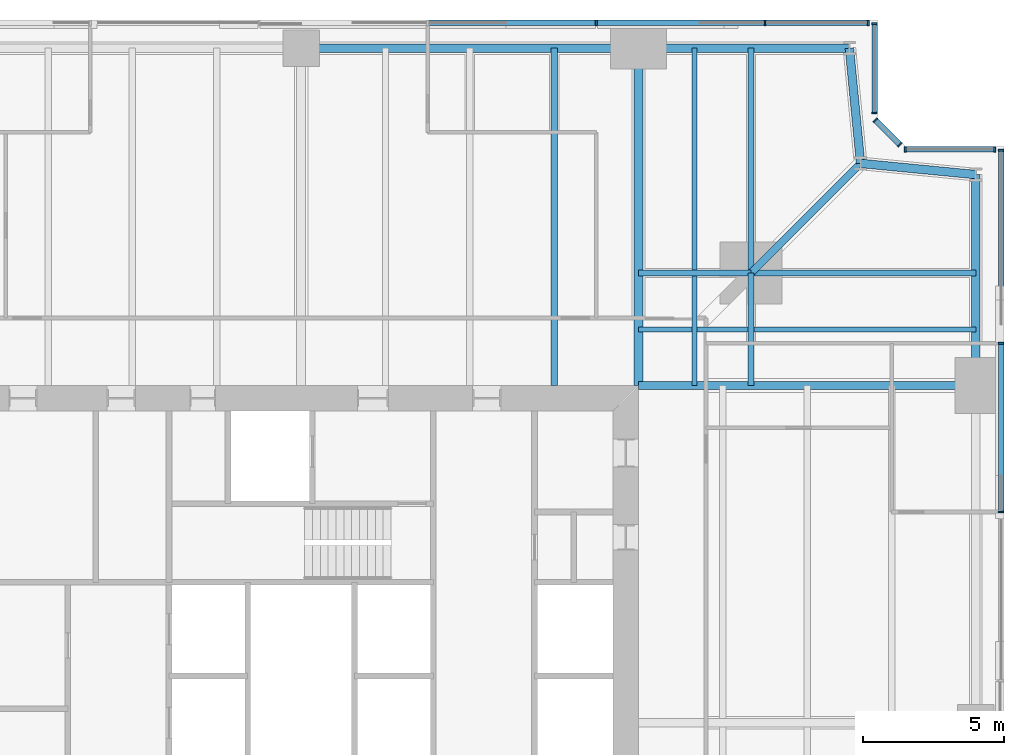
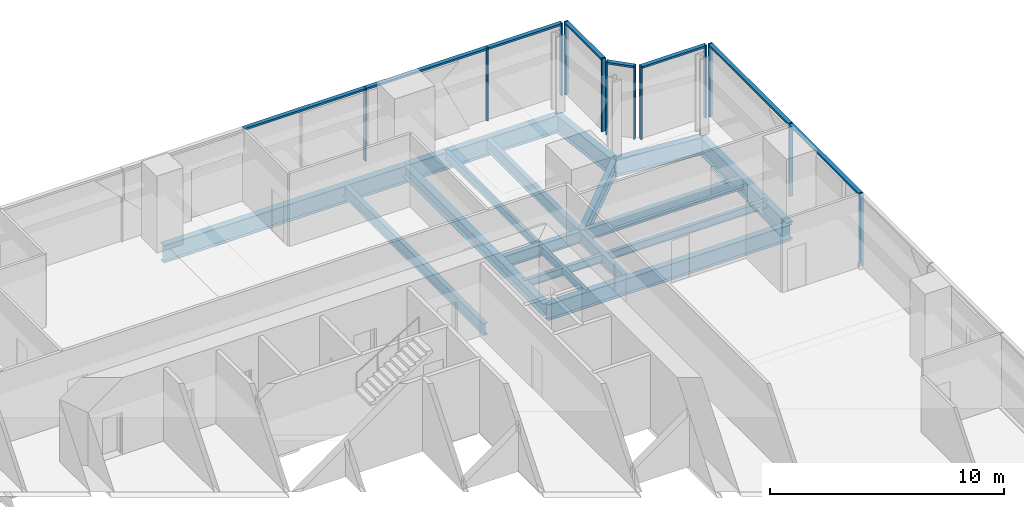
# One storey, part 7 of 13: 20 members, 18 beams, 5 elements without a shape of their own.
"""IFC4 building model written with IfcOpenShell, lengths in metres."""

from ifc_helpers import new_model, si_unit, direction, frame, origin, origin_2d, place, context, subcontext, project, spatial, rectangle, i_section, extrude, material, material_profile, profile_set, type_object, element, aggregate, save


model = new_model("IFC4")

# Units and contexts
model_context = context("Model", 3, precision=1e-05, world=origin(), true_north=direction((0.0, 1.0)))
body_context = subcontext(model_context, "Body", "Model", "MODEL_VIEW")
ifc_project = project(units=[si_unit("LENGTHUNIT", "METRE"), si_unit("AREAUNIT", "SQUARE_METRE"), si_unit("VOLUMEUNIT", "CUBIC_METRE"), si_unit("PLANEANGLEUNIT", "RADIAN"), si_unit("MASSUNIT", "GRAM", prefix="KILO")], contexts=[model_context])

# Site, building, storey
site_placement = place(None, origin())
site = spatial("IfcSite", under=ifc_project, at=site_placement, CompositionType="ELEMENT")
building_placement = place(site_placement, origin())
building = spatial("IfcBuilding", under=site, at=building_placement, Name="Fenwick Lantern Interchange", CompositionType="ELEMENT")
storey_placement = place(building_placement, frame((0.0, 0.0, 158.39990234375)))
storey = spatial("IfcBuildingStorey", under=building, at=storey_placement, Name="L37", CompositionType="ELEMENT", Elevation=158.39990234375)

# Beams
ifc_material_1 = material(Name="Steel ASTM A992 Grade 50", Category="steel")
ifc_material_profile_1 = material_profile(ifc_material_1, i_section(OverallWidth=0.3046875, OverallDepth=0.911865234375, WebThickness=0.015869140625, FlangeThickness=0.02392578125, at=origin_2d()), Name="W36X150")
ifc_profile_set_1 = profile_set([ifc_material_profile_1], Name="Steel ASTM A992 Grade 50")
beam_type_1 = type_object("IfcBeamType", Name="EDGE BEAM W36X150", PredefinedType="SPANDREL", material=ifc_profile_set_1)
beam_1_placement = place(storey_placement, frame((49.0, 37.0, -0.605712890625), z_axis=(0.0, 1.0, 0.0), x_axis=(-1.0, 0.0, 0.0)))
element("IfcBeam", 1, at=beam_1_placement, inside=storey, type_object=beam_type_1, Name="L37/FR/E/EB4", PredefinedType="SPANDREL", context=body_context, shape_type="SweptSolid", body=[
    extrude(i_section(OverallWidth=0.3046875, OverallDepth=0.911865234375, WebThickness=0.015869140625, FlangeThickness=0.02392578125, at=origin_2d()), origin(), (0.0, 0.0, 1.0), 7.5),
])
for number, where, z_axis, x_axis, name in (
    (2, (49.0, 44.5, -0.605712890625), (-0.995277148028, 0.097074191287, 0.0), (-0.097074191287, -0.995277148028, 0.0), "L37/FR/E/EBR1"),
    (3, (44.89990234375, 44.89990234375, -0.605712890625), (-0.097074191287, 0.995277148028, 0.0), (-0.995277148028, -0.097074191287, 0.0), "L37/FR/E/EBR2"),
):
    element("IfcBeam", number, at=place(storey_placement, frame(where, z_axis=z_axis, x_axis=x_axis)), inside=storey, type_object=beam_type_1, Name=name, PredefinedType="SPANDREL", context=body_context, shape_type="SweptSolid", body=[
        extrude(i_section(OverallWidth=0.3046875, OverallDepth=0.911865234375, WebThickness=0.015869140625, FlangeThickness=0.02392578125, at=origin_2d()), origin(), (0.0, 0.0, 1.0), 4.11962890625),
    ])
beam_2_placement = place(storey_placement, frame((44.5, 49.0, -0.605712890625), z_axis=(-1.0, 0.0, 0.0), x_axis=(0.0, -1.0, 0.0)))
element("IfcBeam", 4, at=beam_2_placement, inside=storey, type_object=beam_type_1, Name="L37/FR/N/EB1", PredefinedType="SPANDREL", context=body_context, shape_type="SweptSolid", body=[
    extrude(i_section(OverallWidth=0.3046875, OverallDepth=0.911865234375, WebThickness=0.015869140625, FlangeThickness=0.02392578125, at=origin_2d()), origin(), (0.0, 0.0, 1.0), 7.5),
])
beam_3_placement = place(storey_placement, frame((37.0, 49.0, -0.605712890625), z_axis=(-1.0, 0.0, 0.0), x_axis=(0.0, -1.0, 0.0)))
element("IfcBeam", 5, at=beam_3_placement, inside=storey, type_object=beam_type_1, Name="L37/FR/N/EB2", PredefinedType="SPANDREL", context=body_context, shape_type="SweptSolid", body=[
    extrude(i_section(OverallWidth=0.3046875, OverallDepth=0.911865234375, WebThickness=0.015869140625, FlangeThickness=0.02392578125, at=origin_2d()), origin(), (0.0, 0.0, 1.0), 12.0),
])
ifc_material_profile_2 = material_profile(ifc_material_1, i_section(OverallWidth=0.22900390625, OverallDepth=0.612060546875, WebThickness=0.011962890625, FlangeThickness=0.01953125, at=origin_2d()), Name="W24X84")
ifc_profile_set_2 = profile_set([ifc_material_profile_2], Name="Steel ASTM A992 Grade 50")
beam_type_2 = type_object("IfcBeamType", Name="FLOOR BEAM W24X84", PredefinedType="BEAM", material=ifc_profile_set_2)
beam_4_placement = place(storey_placement, frame((34.0, 49.0, -0.4560546875), z_axis=(0.0, -1.0, 0.0), x_axis=(1.0, 0.0, 0.0)))
element("IfcBeam", 6, at=beam_4_placement, inside=storey, type_object=beam_type_2, Name="L37/FR/N/R02", PredefinedType="BEAM", context=body_context, shape_type="SweptSolid", body=[
    extrude(i_section(OverallWidth=0.22900390625, OverallDepth=0.612060546875, WebThickness=0.011962890625, FlangeThickness=0.01953125, at=origin_2d()), origin(), (0.0, 0.0, 1.0), 12.0),
])
ifc_material_profile_3 = material_profile(ifc_material_1, i_section(OverallWidth=0.177734375, OverallDepth=0.406494140625, WebThickness=0.0078125, FlangeThickness=0.012939453125, at=origin_2d()), Name="W16X40")
ifc_profile_set_3 = profile_set([ifc_material_profile_3], Name="Steel ASTM A992 Grade 50")
beam_type_3 = type_object("IfcBeamType", Name="INFILL BEAM W16X40", PredefinedType="JOIST", material=ifc_profile_set_3)
beam_5_placement = place(storey_placement, frame((39.0, 49.0, -0.35302734375), z_axis=(0.0, -1.0, 0.0), x_axis=(1.0, 0.0, 0.0)))
element("IfcBeam", 7, at=beam_5_placement, inside=storey, type_object=beam_type_3, Name="L37/FR/N/J1", PredefinedType="JOIST", context=body_context, shape_type="SweptSolid", body=[
    extrude(i_section(OverallWidth=0.177734375, OverallDepth=0.406494140625, WebThickness=0.0078125, FlangeThickness=0.012939453125, at=origin_2d()), origin(), (0.0, 0.0, 1.0), 7.885498046875),
])
beam_6_placement = place(storey_placement, frame((39.0, 40.885498046875, -0.35302734375), z_axis=(0.0, -1.0, 0.0), x_axis=(1.0, 0.0, 0.0)))
element("IfcBeam", 8, at=beam_6_placement, inside=storey, type_object=beam_type_3, Name="L37/FR/N/J2", PredefinedType="JOIST", context=body_context, shape_type="SweptSolid", body=[
    extrude(i_section(OverallWidth=0.177734375, OverallDepth=0.406494140625, WebThickness=0.0078125, FlangeThickness=0.012939453125, at=origin_2d()), origin(), (0.0, 0.0, 1.0), 3.885498046875),
])
beam_7_placement = place(storey_placement, frame((49.0, 39.0, -0.35302734375), z_axis=(-1.0, 0.0, 0.0), x_axis=(0.0, -1.0, 0.0)))
element("IfcBeam", 9, at=beam_7_placement, inside=storey, type_object=beam_type_3, Name="L37/FR/N/J3", PredefinedType="JOIST", context=body_context, shape_type="SweptSolid", body=[
    extrude(i_section(OverallWidth=0.177734375, OverallDepth=0.406494140625, WebThickness=0.0078125, FlangeThickness=0.012939453125, at=origin_2d()), origin(), (0.0, 0.0, 1.0), 7.885498046875),
])
beam_8_placement = place(storey_placement, frame((40.885498046875, 39.0, -0.35302734375), z_axis=(-1.0, 0.0, 0.0), x_axis=(0.0, -1.0, 0.0)))
element("IfcBeam", 10, at=beam_8_placement, inside=storey, type_object=beam_type_3, Name="L37/FR/N/J4", PredefinedType="JOIST", context=body_context, shape_type="SweptSolid", body=[
    extrude(i_section(OverallWidth=0.177734375, OverallDepth=0.406494140625, WebThickness=0.0078125, FlangeThickness=0.012939453125, at=origin_2d()), origin(), (0.0, 0.0, 1.0), 1.796630859375),
])
beam_9_placement = place(storey_placement, frame((38.9111328125, 39.0, -0.35302734375), z_axis=(-1.0, 0.0, 0.0), x_axis=(0.0, -1.0, 0.0)))
element("IfcBeam", 11, at=beam_9_placement, inside=storey, type_object=beam_type_3, Name="L37/FR/N/J5", PredefinedType="JOIST", context=body_context, shape_type="SweptSolid", body=[
    extrude(i_section(OverallWidth=0.177734375, OverallDepth=0.406494140625, WebThickness=0.0078125, FlangeThickness=0.012939453125, at=origin_2d()), origin(), (0.0, 0.0, 1.0), 1.9111328125),
])
ifc_material_profile_4 = material_profile(ifc_material_1, i_section(OverallWidth=0.22900390625, OverallDepth=0.612060546875, WebThickness=0.011962890625, FlangeThickness=0.01953125, at=origin_2d()), Name="W24X84")
ifc_profile_set_4 = profile_set([ifc_material_profile_4], Name="Steel ASTM A992 Grade 50")
beam_type_4 = type_object("IfcBeamType", Name="MEGA COLUMN BEAM W24X84", PredefinedType="BEAM", material=ifc_profile_set_4)
for number, where, z_axis, x_axis, name in (
    (12, (41.0, 41.0, -0.4560546875), (0.0, 1.0, 0.0), (-1.0, 0.0, 0.0), "L37/FR/N/MB1"),
    (13, (41.0, 41.0, -0.4560546875), (1.0, 0.0, 0.0), (0.0, 1.0, 0.0), "L37/FR/N/MB2"),
):
    element("IfcBeam", number, at=place(storey_placement, frame(where, z_axis=z_axis, x_axis=x_axis)), inside=storey, type_object=beam_type_4, Name=name, PredefinedType="BEAM", context=body_context, shape_type="SweptSolid", body=[
        extrude(i_section(OverallWidth=0.22900390625, OverallDepth=0.612060546875, WebThickness=0.011962890625, FlangeThickness=0.01953125, at=origin_2d()), origin(), (0.0, 0.0, 1.0), 8.0),
    ])
for number, where, z_axis, x_axis, name in (
    (14, (41.0, 41.0, -0.4560546875), (-1.0, 0.0, 0.0), (0.0, -1.0, 0.0), "L37/FR/N/MB3"),
    (15, (41.0, 41.0, -0.4560546875), (0.0, -1.0, 0.0), (1.0, 0.0, 0.0), "L37/FR/N/MB4"),
):
    element("IfcBeam", number, at=place(storey_placement, frame(where, z_axis=z_axis, x_axis=x_axis)), inside=storey, type_object=beam_type_4, Name=name, PredefinedType="BEAM", context=body_context, shape_type="SweptSolid", body=[
        extrude(i_section(OverallWidth=0.22900390625, OverallDepth=0.612060546875, WebThickness=0.011962890625, FlangeThickness=0.01953125, at=origin_2d()), origin(), (0.0, 0.0, 1.0), 4.0),
    ])
ifc_material_profile_5 = material_profile(ifc_material_1, i_section(OverallWidth=0.32763671875, OverallDepth=0.622314453125, WebThickness=0.015380859375, FlangeThickness=0.0244140625, at=origin_2d()), Name="W24X131")
ifc_profile_set_5 = profile_set([ifc_material_profile_5], Name="Steel ASTM A992 Grade 50")
beam_type_5 = type_object("IfcBeamType", Name="MOMENT-CONNECTED GIRDER W24X131", PredefinedType="BEAM", material=ifc_profile_set_5)
beam_10_placement = place(storey_placement, frame((37.0, 49.0, -0.4609375), z_axis=(0.0, -1.0, 0.0), x_axis=(1.0, 0.0, 0.0)))
element("IfcBeam", 16, at=beam_10_placement, inside=storey, type_object=beam_type_5, Name="L37/FR/N/R01", PredefinedType="BEAM", context=body_context, shape_type="SweptSolid", body=[
    extrude(i_section(OverallWidth=0.32763671875, OverallDepth=0.622314453125, WebThickness=0.015380859375, FlangeThickness=0.0244140625, at=origin_2d()), origin(), (0.0, 0.0, 1.0), 12.0),
])
ifc_material_profile_6 = material_profile(ifc_material_1, i_section(OverallWidth=0.2919921875, OverallDepth=0.845703125, WebThickness=0.015380859375, FlangeThickness=0.0244140625, at=origin_2d()), Name="W33X141")
ifc_profile_set_6 = profile_set([ifc_material_profile_6], Name="Steel ASTM A992 Grade 50")
beam_type_6 = type_object("IfcBeamType", Name="MOMENT-CONNECTED GIRDER W33X141", PredefinedType="BEAM", material=ifc_profile_set_6)
beam_11_placement = place(storey_placement, frame((49.0, 37.0, -0.57275390625), z_axis=(-1.0, 0.0, 0.0), x_axis=(0.0, -1.0, 0.0)))
element("IfcBeam", 17, at=beam_11_placement, inside=storey, type_object=beam_type_6, Name="L37/FR/E/R03", PredefinedType="BEAM", context=body_context, shape_type="SweptSolid", body=[
    extrude(i_section(OverallWidth=0.2919921875, OverallDepth=0.845703125, WebThickness=0.015380859375, FlangeThickness=0.0244140625, at=origin_2d()), origin(), (0.0, 0.0, 1.0), 12.0),
])
ifc_material_profile_7 = material_profile(ifc_material_1, i_section(OverallWidth=0.2666015625, OverallDepth=0.7568359375, WebThickness=0.013916015625, FlangeThickness=0.019287109375, at=origin_2d()), Name="W30X108")
ifc_profile_set_7 = profile_set([ifc_material_profile_7], Name="Steel ASTM A992 Grade 50")
beam_type_7 = type_object("IfcBeamType", Name="NOTCH BEAM W30X108", PredefinedType="BEAM", material=ifc_profile_set_7)
beam_12_placement = place(storey_placement, frame((41.0, 41.0, -0.5283203125), z_axis=(0.707106781187, 0.707106781187, 0.0), x_axis=(-0.707106781187, 0.707106781187, 0.0)))
element("IfcBeam", 18, at=beam_12_placement, inside=storey, type_object=beam_type_7, Name="L37/FR/N/TG", PredefinedType="BEAM", context=body_context, shape_type="SweptSolid", body=[
    extrude(i_section(OverallWidth=0.2666015625, OverallDepth=0.7568359375, WebThickness=0.013916015625, FlangeThickness=0.019287109375, at=origin_2d()), origin(), (0.0, 0.0, 1.0), 5.515380859375),
])

# Curtain wall, members
ifc_material_2 = material(Name="Aluminium curtain wall frame", Category="aluminium")
curtain_wall_type = type_object("IfcCurtainWallType", Name="OFFICE CURTAIN WALL", PredefinedType="USERDEFINED", material=ifc_material_2)
curtain_wall_1_placement = place(storey_placement, origin())
curtain_wall_1 = element("IfcCurtainWall", 19, at=curtain_wall_1_placement, inside=storey, type_object=curtain_wall_type, Name="Office curtain wall 05", ObjectType="OFFICE CURTAIN WALL", PredefinedType="USERDEFINED")
ifc_material_3 = material(Name="Aluminium extrusion", Category="aluminium")
ifc_material_profile_8 = material_profile(ifc_material_3, rectangle(XDim=0.199951171875, YDim=0.06494140625, at=origin_2d()), Name="OFFICE CURTAIN WALL MULLION 65 X 200")
ifc_profile_set_8 = profile_set([ifc_material_profile_8], Name="Aluminium extrusion")
member_type_1 = type_object("IfcMemberType", Name="OFFICE CURTAIN WALL MULLION 65 X 200", PredefinedType="MULLION", material=ifc_profile_set_8)
member_1_placement = place(storey_placement, frame((49.89990234375, 32.5, 0.0), z_axis=(0.0, 0.0, 1.0), x_axis=(-1.0, 0.0, 0.0)))
member_1 = element("IfcMember", 20, at=member_1_placement, type_object=member_type_1, Name="L37/CW/05/M05", PredefinedType="MULLION", context=body_context, shape_type="SweptSolid", body=[
    extrude(rectangle(XDim=0.199951171875, YDim=0.06494140625, at=origin_2d()), origin(), (0.0, 0.0, 1.0), 3.800048828125),
])
member_2_placement = place(storey_placement, frame((49.89990234375, 38.5, 0.0), z_axis=(0.0, 0.0, 1.0), x_axis=(-1.0, 0.0, 0.0)))
member_2 = element("IfcMember", 21, at=member_2_placement, type_object=member_type_1, Name="L37/CW/05/M06", PredefinedType="MULLION", context=body_context, shape_type="SweptSolid", body=[
    extrude(rectangle(XDim=0.199951171875, YDim=0.06494140625, at=origin_2d()), origin(), (0.0, 0.0, 1.0), 3.800048828125),
])
member_3_placement = place(storey_placement, frame((49.89990234375, 45.367431640625, 0.0), z_axis=(0.0, 0.0, 1.0), x_axis=(-1.0, 0.0, 0.0)))
member_3 = element("IfcMember", 22, at=member_3_placement, type_object=member_type_1, Name="L37/CW/05/M07", PredefinedType="MULLION", context=body_context, shape_type="SweptSolid", body=[
    extrude(rectangle(XDim=0.199951171875, YDim=0.06494140625, at=origin_2d()), origin(), (0.0, 0.0, 1.0), 3.800048828125),
])

curtain_wall_2_placement = place(storey_placement, origin())
curtain_wall_2 = element("IfcCurtainWall", 23, at=curtain_wall_2_placement, inside=storey, type_object=curtain_wall_type, Name="Office curtain wall 06", ObjectType="OFFICE CURTAIN WALL", PredefinedType="USERDEFINED")
member_4_placement = place(storey_placement, frame((49.66748046875, 45.39990234375, 0.0), z_axis=(0.0, 0.0, 1.0), x_axis=(0.0, -1.0, 0.0)))
member_4 = element("IfcMember", 24, at=member_4_placement, type_object=member_type_1, Name="L37/CW/06/M00", PredefinedType="MULLION", context=body_context, shape_type="SweptSolid", body=[
    extrude(rectangle(XDim=0.199951171875, YDim=0.06494140625, at=origin_2d()), origin(), (0.0, 0.0, 1.0), 3.800048828125),
])
member_5_placement = place(storey_placement, frame((46.490966796875, 45.39990234375, 0.0), z_axis=(0.0, 0.0, 1.0), x_axis=(0.0, -1.0, 0.0)))
member_5 = element("IfcMember", 25, at=member_5_placement, type_object=member_type_1, Name="L37/CW/06/M01", PredefinedType="MULLION", context=body_context, shape_type="SweptSolid", body=[
    extrude(rectangle(XDim=0.199951171875, YDim=0.06494140625, at=origin_2d()), origin(), (0.0, 0.0, 1.0), 3.800048828125),
])

curtain_wall_3_placement = place(storey_placement, origin())
curtain_wall_3 = element("IfcCurtainWall", 26, at=curtain_wall_3_placement, inside=storey, type_object=curtain_wall_type, Name="Office curtain wall 07", ObjectType="OFFICE CURTAIN WALL", PredefinedType="USERDEFINED")
member_6_placement = place(storey_placement, frame((46.294189453125, 45.564453125, 0.0), z_axis=(0.0, 0.0, 1.0), x_axis=(-0.707106781187, -0.707106781187, 0.0)))
member_6 = element("IfcMember", 27, at=member_6_placement, type_object=member_type_1, Name="L37/CW/07/M00", PredefinedType="MULLION", context=body_context, shape_type="SweptSolid", body=[
    extrude(rectangle(XDim=0.199951171875, YDim=0.06494140625, at=origin_2d()), origin(), (0.0, 0.0, 1.0), 3.800048828125),
])
member_7_placement = place(storey_placement, frame((45.423095703125, 46.435546875, 0.0), z_axis=(0.0, 0.0, 1.0), x_axis=(-0.707106781187, -0.707106781187, 0.0)))
member_7 = element("IfcMember", 28, at=member_7_placement, type_object=member_type_1, Name="L37/CW/07/M01", PredefinedType="MULLION", context=body_context, shape_type="SweptSolid", body=[
    extrude(rectangle(XDim=0.199951171875, YDim=0.06494140625, at=origin_2d()), origin(), (0.0, 0.0, 1.0), 3.800048828125),
])

curtain_wall_4_placement = place(storey_placement, origin())
curtain_wall_4 = element("IfcCurtainWall", 29, at=curtain_wall_4_placement, inside=storey, type_object=curtain_wall_type, Name="Office curtain wall 08", ObjectType="OFFICE CURTAIN WALL", PredefinedType="USERDEFINED")
member_8_placement = place(storey_placement, frame((45.39990234375, 46.691162109375, 0.0), z_axis=(0.0, 0.0, 1.0), x_axis=(-1.0, 0.0, 0.0)))
member_8 = element("IfcMember", 30, at=member_8_placement, type_object=member_type_1, Name="L37/CW/08/M00", PredefinedType="MULLION", context=body_context, shape_type="SweptSolid", body=[
    extrude(rectangle(XDim=0.199951171875, YDim=0.06494140625, at=origin_2d()), origin(), (0.0, 0.0, 1.0), 3.800048828125),
])
member_9_placement = place(storey_placement, frame((45.39990234375, 49.867431640625, 0.0), z_axis=(0.0, 0.0, 1.0), x_axis=(-1.0, 0.0, 0.0)))
member_9 = element("IfcMember", 31, at=member_9_placement, type_object=member_type_1, Name="L37/CW/08/M01", PredefinedType="MULLION", context=body_context, shape_type="SweptSolid", body=[
    extrude(rectangle(XDim=0.199951171875, YDim=0.06494140625, at=origin_2d()), origin(), (0.0, 0.0, 1.0), 3.800048828125),
])

curtain_wall_5_placement = place(storey_placement, origin())
curtain_wall_5 = element("IfcCurtainWall", 32, at=curtain_wall_5_placement, inside=storey, type_object=curtain_wall_type, Name="Office curtain wall 09", ObjectType="OFFICE CURTAIN WALL", PredefinedType="USERDEFINED")
member_10_placement = place(storey_placement, frame((45.16748046875, 49.89990234375, 0.0), z_axis=(0.0, 0.0, 1.0), x_axis=(0.0, -1.0, 0.0)))
member_10 = element("IfcMember", 33, at=member_10_placement, type_object=member_type_1, Name="L37/CW/09/M00", PredefinedType="MULLION", context=body_context, shape_type="SweptSolid", body=[
    extrude(rectangle(XDim=0.199951171875, YDim=0.06494140625, at=origin_2d()), origin(), (0.0, 0.0, 1.0), 3.800048828125),
])
member_11_placement = place(storey_placement, frame((41.5, 49.89990234375, 0.0), z_axis=(0.0, 0.0, 1.0), x_axis=(0.0, -1.0, 0.0)))
member_11 = element("IfcMember", 34, at=member_11_placement, type_object=member_type_1, Name="L37/CW/09/M01", PredefinedType="MULLION", context=body_context, shape_type="SweptSolid", body=[
    extrude(rectangle(XDim=0.199951171875, YDim=0.06494140625, at=origin_2d()), origin(), (0.0, 0.0, 1.0), 3.800048828125),
])
member_12_placement = place(storey_placement, frame((35.5, 49.89990234375, 0.0), z_axis=(0.0, 0.0, 1.0), x_axis=(0.0, -1.0, 0.0)))
member_12 = element("IfcMember", 35, at=member_12_placement, type_object=member_type_1, Name="L37/CW/09/M02", PredefinedType="MULLION", context=body_context, shape_type="SweptSolid", body=[
    extrude(rectangle(XDim=0.199951171875, YDim=0.06494140625, at=origin_2d()), origin(), (0.0, 0.0, 1.0), 3.800048828125),
])

# Member
ifc_material_profile_9 = material_profile(ifc_material_3, rectangle(XDim=0.199951171875, YDim=0.10009765625, at=origin_2d()), Name="OFFICE CURTAIN WALL TRANSOM 100 X 200")
ifc_profile_set_9 = profile_set([ifc_material_profile_9], Name="Aluminium extrusion")
member_type_2 = type_object("IfcMemberType", Name="OFFICE CURTAIN WALL TRANSOM 100 X 200", PredefinedType="MULLION", material=ifc_profile_set_9)
member_13_placement = place(storey_placement, frame((49.89990234375, 32.532470703125, 3.75), z_axis=(0.0, 1.0, 0.0), x_axis=(-1.0, 0.0, 0.0)))
member_13 = element("IfcMember", 36, at=member_13_placement, type_object=member_type_2, Name="L37/CW/05/T05", PredefinedType="MULLION", context=body_context, shape_type="SweptSolid", body=[
    extrude(rectangle(XDim=0.199951171875, YDim=0.10009765625, at=origin_2d()), origin(), (0.0, 0.0, 1.0), 5.93505859375),
])

member_14_placement = place(storey_placement, frame((49.89990234375, 38.532470703125, 3.75), z_axis=(0.0, 1.0, 0.0), x_axis=(-1.0, 0.0, 0.0)))
member_14 = element("IfcMember", 37, at=member_14_placement, type_object=member_type_2, Name="L37/CW/05/T06", PredefinedType="MULLION", context=body_context, shape_type="SweptSolid", body=[
    extrude(rectangle(XDim=0.199951171875, YDim=0.10009765625, at=origin_2d()), origin(), (0.0, 0.0, 1.0), 6.802490234375),
])

aggregate(curtain_wall_1, [member_1, member_2, member_3, member_13, member_14])

member_15_placement = place(storey_placement, frame((49.635009765625, 45.39990234375, 3.75), z_axis=(-1.0, 0.0, 0.0), x_axis=(0.0, -1.0, 0.0)))
member_15 = element("IfcMember", 38, at=member_15_placement, type_object=member_type_2, Name="L37/CW/06/T00", PredefinedType="MULLION", context=body_context, shape_type="SweptSolid", body=[
    extrude(rectangle(XDim=0.199951171875, YDim=0.10009765625, at=origin_2d()), origin(), (0.0, 0.0, 1.0), 3.111328125),
])

aggregate(curtain_wall_2, [member_4, member_5, member_15])

member_16_placement = place(storey_placement, frame((46.271240234375, 45.58740234375, 3.75), z_axis=(-0.707106781187, 0.707106781187, 0.0), x_axis=(-0.707106781187, -0.707106781187, 0.0)))
member_16 = element("IfcMember", 39, at=member_16_placement, type_object=member_type_2, Name="L37/CW/07/T00", PredefinedType="MULLION", context=body_context, shape_type="SweptSolid", body=[
    extrude(rectangle(XDim=0.199951171875, YDim=0.10009765625, at=origin_2d()), origin(), (0.0, 0.0, 1.0), 1.1669921875),
])

aggregate(curtain_wall_3, [member_6, member_7, member_16])

member_17_placement = place(storey_placement, frame((45.39990234375, 46.7236328125, 3.75), z_axis=(0.0, 1.0, 0.0), x_axis=(-1.0, 0.0, 0.0)))
member_17 = element("IfcMember", 40, at=member_17_placement, type_object=member_type_2, Name="L37/CW/08/T00", PredefinedType="MULLION", context=body_context, shape_type="SweptSolid", body=[
    extrude(rectangle(XDim=0.199951171875, YDim=0.10009765625, at=origin_2d()), origin(), (0.0, 0.0, 1.0), 3.111328125),
])

aggregate(curtain_wall_4, [member_8, member_9, member_17])

member_18_placement = place(storey_placement, frame((45.135009765625, 49.89990234375, 3.75), z_axis=(-1.0, 0.0, 0.0), x_axis=(0.0, -1.0, 0.0)))
member_18 = element("IfcMember", 41, at=member_18_placement, type_object=member_type_2, Name="L37/CW/09/T00", PredefinedType="MULLION", context=body_context, shape_type="SweptSolid", body=[
    extrude(rectangle(XDim=0.199951171875, YDim=0.10009765625, at=origin_2d()), origin(), (0.0, 0.0, 1.0), 3.6025390625),
])

member_19_placement = place(storey_placement, frame((41.467529296875, 49.89990234375, 3.75), z_axis=(-1.0, 0.0, 0.0), x_axis=(0.0, -1.0, 0.0)))
member_19 = element("IfcMember", 42, at=member_19_placement, type_object=member_type_2, Name="L37/CW/09/T01", PredefinedType="MULLION", context=body_context, shape_type="SweptSolid", body=[
    extrude(rectangle(XDim=0.199951171875, YDim=0.10009765625, at=origin_2d()), origin(), (0.0, 0.0, 1.0), 5.93505859375),
])

member_20_placement = place(storey_placement, frame((35.467529296875, 49.89990234375, 3.75), z_axis=(-1.0, 0.0, 0.0), x_axis=(0.0, -1.0, 0.0)))
member_20 = element("IfcMember", 43, at=member_20_placement, type_object=member_type_2, Name="L37/CW/09/T02", PredefinedType="MULLION", context=body_context, shape_type="SweptSolid", body=[
    extrude(rectangle(XDim=0.199951171875, YDim=0.10009765625, at=origin_2d()), origin(), (0.0, 0.0, 1.0), 5.93505859375),
])

aggregate(curtain_wall_5, [member_10, member_11, member_12, member_18, member_19, member_20])

save(model, "model.ifc")
